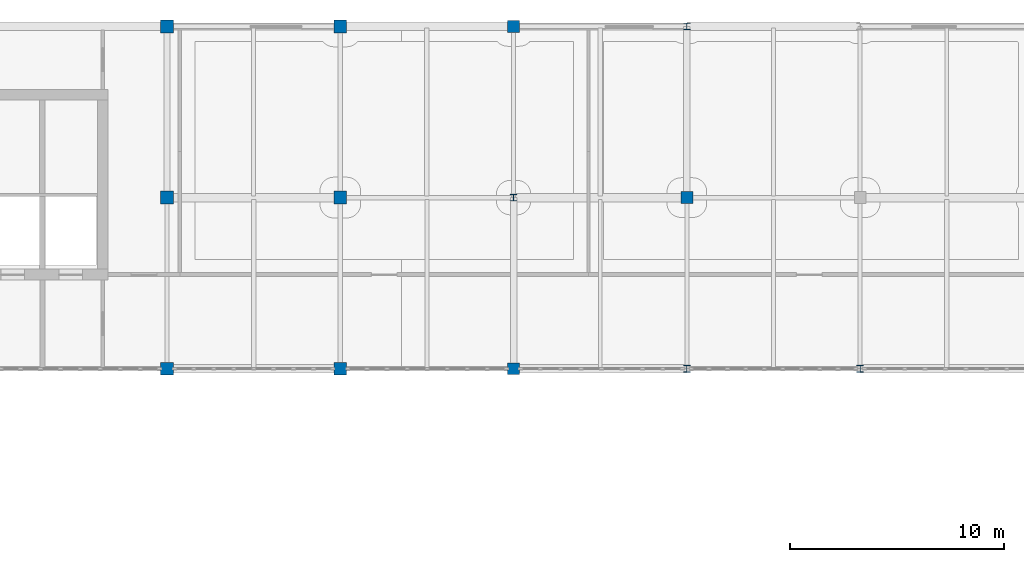
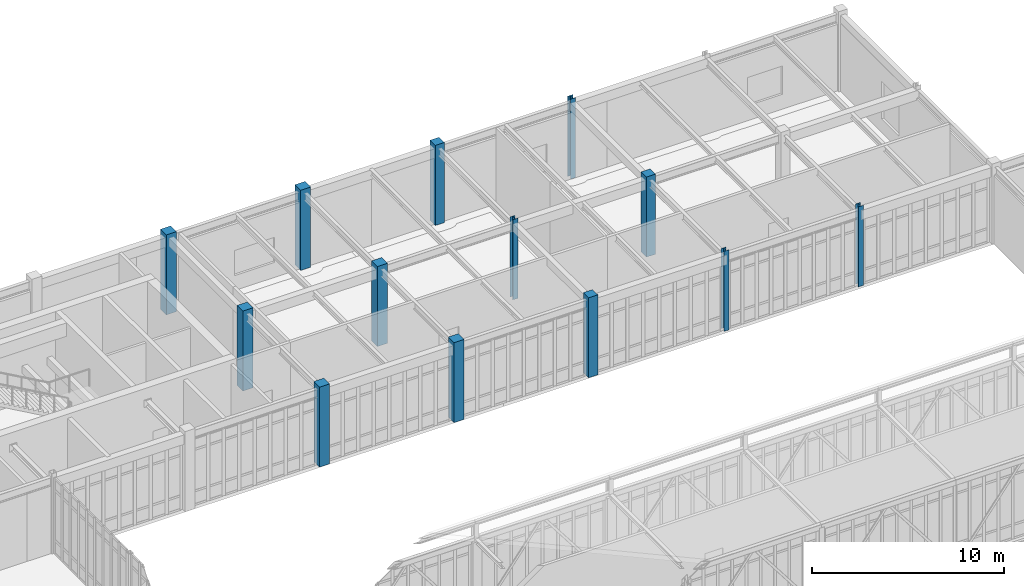
# One storey, part 11 of 107: 13 columns.
"""IFC4 building model written with IfcOpenShell, lengths in metres."""

from ifc_helpers import new_model, si_unit, direction, frame, origin, origin_2d, place, context, subcontext, project, spatial, rectangle, i_section, extrude, material, material_profile, profile_set, type_object, element, save


model = new_model("IFC4")

# Units and contexts
model_context = context("Model", 3, precision=1e-05, world=origin(), true_north=direction((0.0, 1.0)))
body_context = subcontext(model_context, "Body", "Model", "MODEL_VIEW")
ifc_project = project(units=[si_unit("LENGTHUNIT", "METRE"), si_unit("AREAUNIT", "SQUARE_METRE"), si_unit("VOLUMEUNIT", "CUBIC_METRE"), si_unit("PLANEANGLEUNIT", "RADIAN"), si_unit("MASSUNIT", "GRAM", prefix="KILO")], contexts=[model_context])

# Site, building, storey
site_placement = place(None, origin())
site = spatial("IfcSite", under=ifc_project, at=site_placement, CompositionType="ELEMENT")
building_placement = place(site_placement, origin())
building = spatial("IfcBuilding", under=site, at=building_placement, Name="Tarnveldt Square Police Headquarters", CompositionType="ELEMENT")
storey_placement = place(building_placement, frame((0.0, 0.0, 14.699951171875)))
storey = spatial("IfcBuildingStorey", under=building, at=storey_placement, Name="L03", CompositionType="ELEMENT", Elevation=14.699951171875)

# Columns
ifc_material_1 = material(Name="Concrete 40 MPa", Category="concrete")
ifc_material_profile_1 = material_profile(ifc_material_1, rectangle(XDim=0.550048828125, YDim=0.550048828125, at=origin_2d()), Name="RC-C550x550")
ifc_profile_set_1 = profile_set([ifc_material_profile_1], Name="Concrete 40 MPa")
column_type_1 = type_object("IfcColumnType", Name="COL-RC550", PredefinedType="COLUMN", material=ifc_profile_set_1)
for number, where, z_axis, x_axis, name in (
    (1, (81.0, 96.0, 0.0), (0.0, 0.0, 1.0), (1.0, 0.0, 0.0), "L03 Column 124"),
    (2, (81.0, 112.0, 0.0), (0.0, 0.0, 1.0), (1.0, 0.0, 0.0), "L03 Column 126"),
    (3, (89.10009765625, 104.0, 0.0), (0.0, 0.0, 1.0), (1.0, 0.0, 0.0), "L03 Column 130"),
):
    element("IfcColumn", number, at=place(storey_placement, frame(where, z_axis=z_axis, x_axis=x_axis)), inside=storey, type_object=column_type_1, Name=name, PredefinedType="COLUMN", context=body_context, shape_type="SweptSolid", body=[
        extrude(rectangle(XDim=0.550048828125, YDim=0.550048828125, at=origin_2d()), origin(), (0.0, 0.0, 1.0), 5.10009765625),
    ])
ifc_material_profile_2 = material_profile(ifc_material_1, rectangle(XDim=0.60009765625, YDim=0.60009765625, at=origin_2d()), Name="RC-C600x600")
ifc_profile_set_2 = profile_set([ifc_material_profile_2], Name="Concrete 40 MPa")
column_type_2 = type_object("IfcColumnType", Name="COL-RC600", PredefinedType="COLUMN", material=ifc_profile_set_2)
for number, where, z_axis, x_axis, name in (
    (4, (64.800048828125, 96.0, 0.0), (0.0, 0.0, 1.0), (1.0, 0.0, 0.0), "L03 Column 104"),
    (5, (64.800048828125, 104.0, 0.0), (0.0, 0.0, 1.0), (1.0, 0.0, 0.0), "L03 Column 105"),
    (6, (64.800048828125, 112.0, 0.0), (0.0, 0.0, 1.0), (1.0, 0.0, 0.0), "L03 Column 106"),
    (7, (72.89990234375, 96.0, 0.0), (0.0, 0.0, 1.0), (1.0, 0.0, 0.0), "L03 Column 114"),
    (8, (72.89990234375, 104.0, 0.0), (0.0, 0.0, 1.0), (1.0, 0.0, 0.0), "L03 Column 115"),
    (9, (72.89990234375, 112.0, 0.0), (0.0, 0.0, 1.0), (1.0, 0.0, 0.0), "L03 Column 116"),
):
    element("IfcColumn", number, at=place(storey_placement, frame(where, z_axis=z_axis, x_axis=x_axis)), inside=storey, type_object=column_type_2, Name=name, PredefinedType="COLUMN", context=body_context, shape_type="SweptSolid", body=[
        extrude(rectangle(XDim=0.60009765625, YDim=0.60009765625, at=origin_2d()), origin(), (0.0, 0.0, 1.0), 5.10009765625),
    ])
ifc_material_2 = material(Name="Steel 350W", Category="steel")
ifc_material_profile_3 = material_profile(ifc_material_2, i_section(OverallWidth=0.304931640625, OverallDepth=0.30810546875, WebThickness=0.010009765625, FlangeThickness=0.015380859375, FilletRadius=0.014892578125, at=origin_2d()), Name="W310x97")
ifc_profile_set_3 = profile_set([ifc_material_profile_3], Name="Steel 350W")
column_type_3 = type_object("IfcColumnType", Name="COL-W310x97", PredefinedType="COLUMN", material=ifc_profile_set_3)
for number, where, z_axis, x_axis, name in (
    (10, (81.0, 104.0, 0.0), (0.0, 0.0, 1.0), (1.0, 0.0, 0.0), "L03 Column 125"),
    (11, (89.10009765625, 96.0, 0.0), (0.0, 0.0, 1.0), (1.0, 0.0, 0.0), "L03 Column 129"),
    (12, (89.10009765625, 112.0, 0.0), (0.0, 0.0, 1.0), (1.0, 0.0, 0.0), "L03 Column 131"),
    (13, (97.199951171875, 96.0, 0.0), (0.0, 0.0, 1.0), (1.0, 0.0, 0.0), "L03 Column 139"),
):
    element("IfcColumn", number, at=place(storey_placement, frame(where, z_axis=z_axis, x_axis=x_axis)), inside=storey, type_object=column_type_3, Name=name, PredefinedType="COLUMN", context=body_context, shape_type="SweptSolid", body=[
        extrude(i_section(OverallWidth=0.304931640625, OverallDepth=0.30810546875, WebThickness=0.010009765625, FlangeThickness=0.015380859375, FilletRadius=0.014892578125, at=origin_2d()), origin(), (0.0, 0.0, 1.0), 5.10009765625),
    ])

save(model, "model.ifc")
